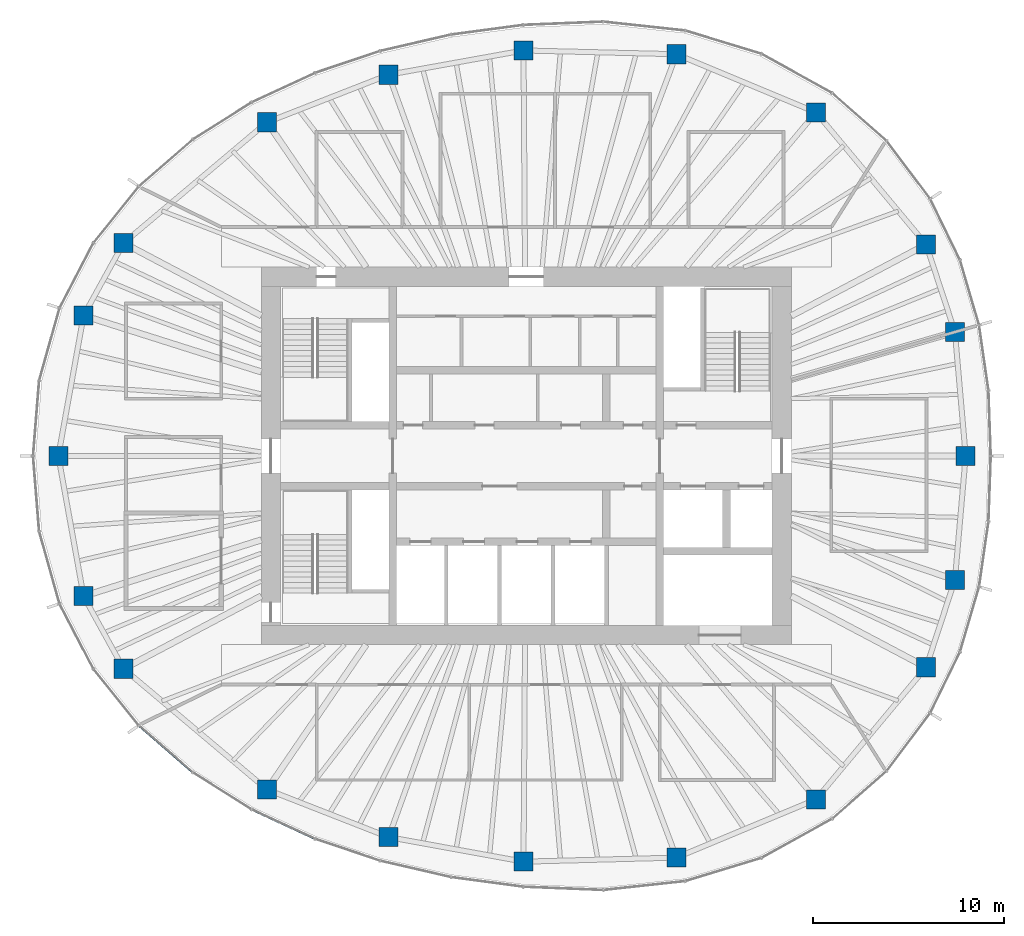
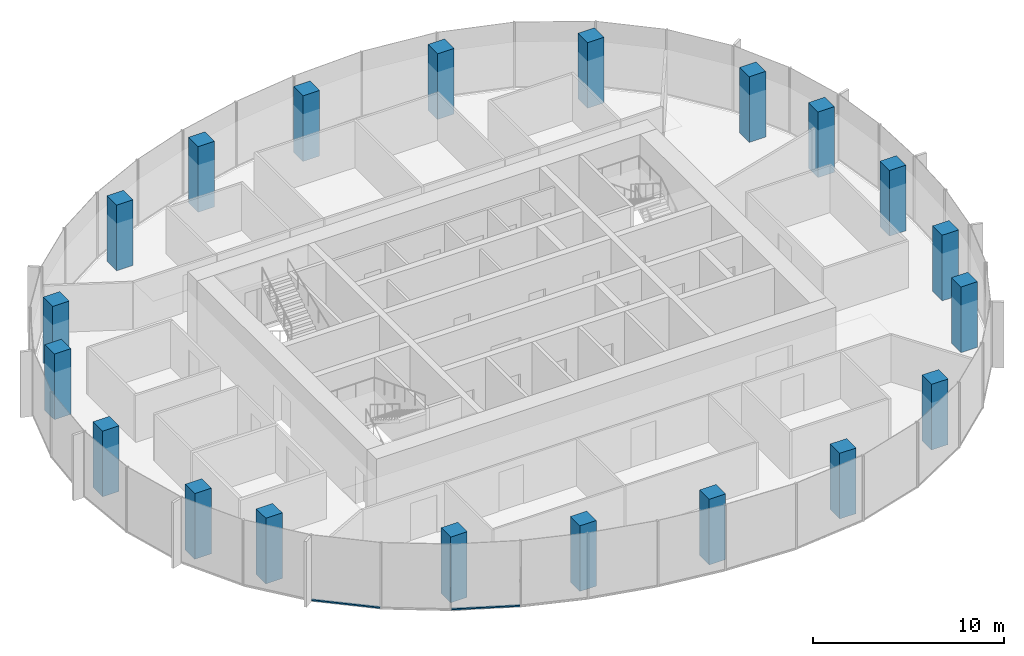
# One storey, part 1 of 11: 20 columns, 2 members, 2 elements without a shape of their own.
"""IFC4 building model written with IfcOpenShell, lengths in metres."""

from ifc_helpers import new_model, si_unit, direction, frame, origin, origin_2d, place, context, subcontext, project, spatial, rectangle, extrude, material, material_profile, profile_set, type_object, element, aggregate, save


model = new_model("IFC4")

# Units and contexts
model_context = context("Model", 3, precision=1e-05, world=origin(), true_north=direction((0.0, 1.0)))
body_context = subcontext(model_context, "Body", "Model", "MODEL_VIEW")
ifc_project = project(units=[si_unit("LENGTHUNIT", "METRE"), si_unit("AREAUNIT", "SQUARE_METRE"), si_unit("VOLUMEUNIT", "CUBIC_METRE"), si_unit("PLANEANGLEUNIT", "RADIAN"), si_unit("MASSUNIT", "GRAM", prefix="KILO")], contexts=[model_context])

# Site, building, storey
site_placement = place(None, origin())
site = spatial("IfcSite", under=ifc_project, at=site_placement, CompositionType="ELEMENT")
building_placement = place(site_placement, origin())
building = spatial("IfcBuilding", under=site, at=building_placement, Name="Ghaith Harvest Tower", CompositionType="ELEMENT")
storey_placement = place(building_placement, frame((0.0, 0.0, 313.199951171875)))
storey = spatial("IfcBuildingStorey", under=building, at=storey_placement, Name="L70", CompositionType="ELEMENT", Elevation=313.199951171875)

# Columns
ifc_material_1 = material(Name="Concrete C50/60", Category="concrete")
ifc_material_profile_1 = material_profile(ifc_material_1, rectangle(XDim=1.0, YDim=1.0, at=origin_2d()), Name="RC1000X1000")
ifc_profile_set_1 = profile_set([ifc_material_profile_1], Name="Concrete C50/60")
column_type = type_object("IfcColumnType", Name="TC8 RC1000X1000", PredefinedType="COLUMN", material=ifc_profile_set_1)
for number, where, z_axis, x_axis, name in (
    (1, (23.050048828125, 0.0, 0.0), (0.0, 0.0, 1.0), (1.0, 0.0, 0.0), "Perimeter column C01"),
    (2, (22.485107421875, 6.4990234375, 0.0), (0.0, 0.0, 1.0), (1.0, 0.0, 0.0), "Perimeter column C02"),
    (3, (20.97705078125, 11.087890625, 0.0), (0.0, 0.0, 1.0), (1.0, 0.0, 0.0), "Perimeter column C03"),
    (4, (15.197998046875, 18.02294921875, 0.0), (0.0, 0.0, 1.0), (1.0, 0.0, 0.0), "Perimeter column C04"),
    (5, (7.8779296875, 21.072021484375, 0.0), (0.0, 0.0, 1.0), (1.0, 0.0, 0.0), "Perimeter column C05"),
    (6, (-0.14599609375, 21.27099609375, 0.0), (0.0, 0.0, 1.0), (1.0, 0.0, 0.0), "Perimeter column C06"),
    (7, (-7.221923828125, 19.9970703125, 0.0), (0.0, 0.0, 1.0), (1.0, 0.0, 0.0), "Perimeter column C07"),
    (8, (-13.594970703125, 17.5048828125, 0.0), (0.0, 0.0, 1.0), (1.0, 0.0, 0.0), "Perimeter column C08"),
    (9, (-21.125, 11.166015625, 0.0), (0.0, 0.0, 1.0), (1.0, 0.0, 0.0), "Perimeter column C09"),
    (10, (-23.22412109375, 7.360107421875, 0.0), (0.0, 0.0, 1.0), (1.0, 0.0, 0.0), "Perimeter column C10"),
    (11, (-24.550048828125, 0.0, 0.0), (0.0, 0.0, 1.0), (1.0, 0.0, 0.0), "Perimeter column C11"),
    (12, (-23.22412109375, -7.360107421875, 0.0), (0.0, 0.0, 1.0), (1.0, 0.0, 0.0), "Perimeter column C12"),
    (13, (-21.125, -11.166015625, 0.0), (0.0, 0.0, 1.0), (1.0, 0.0, 0.0), "Perimeter column C13"),
    (14, (-13.594970703125, -17.5048828125, 0.0), (0.0, 0.0, 1.0), (1.0, 0.0, 0.0), "Perimeter column C14"),
    (15, (-7.221923828125, -19.9970703125, 0.0), (0.0, 0.0, 1.0), (1.0, 0.0, 0.0), "Perimeter column C15"),
    (16, (-0.14599609375, -21.285888671875, 0.0), (0.0, 0.0, 1.0), (1.0, 0.0, 0.0), "Perimeter column C16"),
    (17, (7.8779296875, -21.072021484375, 0.0), (0.0, 0.0, 1.0), (1.0, 0.0, 0.0), "Perimeter column C17"),
    (18, (15.197998046875, -18.02294921875, 0.0), (0.0, 0.0, 1.0), (1.0, 0.0, 0.0), "Perimeter column C18"),
    (19, (20.97705078125, -11.087890625, 0.0), (0.0, 0.0, 1.0), (1.0, 0.0, 0.0), "Perimeter column C19"),
    (20, (22.485107421875, -6.4990234375, 0.0), (0.0, 0.0, 1.0), (1.0, 0.0, 0.0), "Perimeter column C20"),
):
    element("IfcColumn", number, at=place(storey_placement, frame(where, z_axis=z_axis, x_axis=x_axis)), inside=storey, type_object=column_type, Name=name, PredefinedType="COLUMN", context=body_context, shape_type="SweptSolid", body=[
        extrude(rectangle(XDim=1.0, YDim=1.0, at=origin_2d()), origin(), (0.0, 0.0, 1.0), 4.199951171875),
    ])

# Curtain wall, member
ifc_material_2 = material(Name="Black anodised aluminium and fritted glass", Category="aluminium")
curtain_wall_type = type_object("IfcCurtainWallType", Name="CW-T CURTAIN WALL", PredefinedType="NOTDEFINED", material=ifc_material_2)
curtain_wall_1_placement = place(storey_placement, origin())
curtain_wall_1 = element("IfcCurtainWall", 21, at=curtain_wall_1_placement, inside=storey, type_object=curtain_wall_type, Name="Curtain wall CW-T bay 13 L70", PredefinedType="NOTDEFINED")
ifc_material_3 = material(Name="Aluminium, black anodised", Category="aluminium")
ifc_material_profile_2 = material_profile(ifc_material_3, rectangle(XDim=0.1201171875, YDim=0.080078125, at=origin_2d()), Name="CW-T TRANSOM 120x80")
ifc_profile_set_2 = profile_set([ifc_material_profile_2], Name="Aluminium, black anodised")
member_type = type_object("IfcMemberType", Name="CW-T TRANSOM 120x80", PredefinedType="USERDEFINED", material=ifc_profile_set_2)
member_1_placement = place(storey_placement, frame((-20.294189453125, -14.168212890625, 0.0400390625), z_axis=(0.754851889287, -0.65589528527, 0.0), x_axis=(0.65589528527, 0.754851889287, 0.0)))
member_1 = element("IfcMember", 22, at=member_1_placement, type_object=member_type, Name="CW-T transom 1 bay 13 L70", ObjectType="TRANSOM", PredefinedType="USERDEFINED", context=body_context, shape_type="SweptSolid", body=[
    extrude(rectangle(XDim=0.1201171875, YDim=0.080078125, at=origin_2d()), origin(), (0.0, 0.0, 1.0), 3.668701171875),
])
aggregate(curtain_wall_1, [member_1])

curtain_wall_2_placement = place(storey_placement, origin())
curtain_wall_2 = element("IfcCurtainWall", 23, at=curtain_wall_2_placement, inside=storey, type_object=curtain_wall_type, Name="Curtain wall CW-T bay 14 L70", PredefinedType="NOTDEFINED")
member_2_placement = place(storey_placement, frame((-14.36865234375, -18.564697265625, 0.0400390625), z_axis=(0.907472177056, -0.420112184862, 0.0), x_axis=(0.420112184862, 0.907472177056, 0.0)))
member_2 = element("IfcMember", 24, at=member_2_placement, type_object=member_type, Name="CW-T transom 1 bay 14 L70", ObjectType="TRANSOM", PredefinedType="USERDEFINED", context=body_context, shape_type="SweptSolid", body=[
    extrude(rectangle(XDim=0.1201171875, YDim=0.080078125, at=origin_2d()), origin(), (0.0, 0.0, 1.0), 3.597900390625),
])
aggregate(curtain_wall_2, [member_2])

save(model, "model.ifc")
